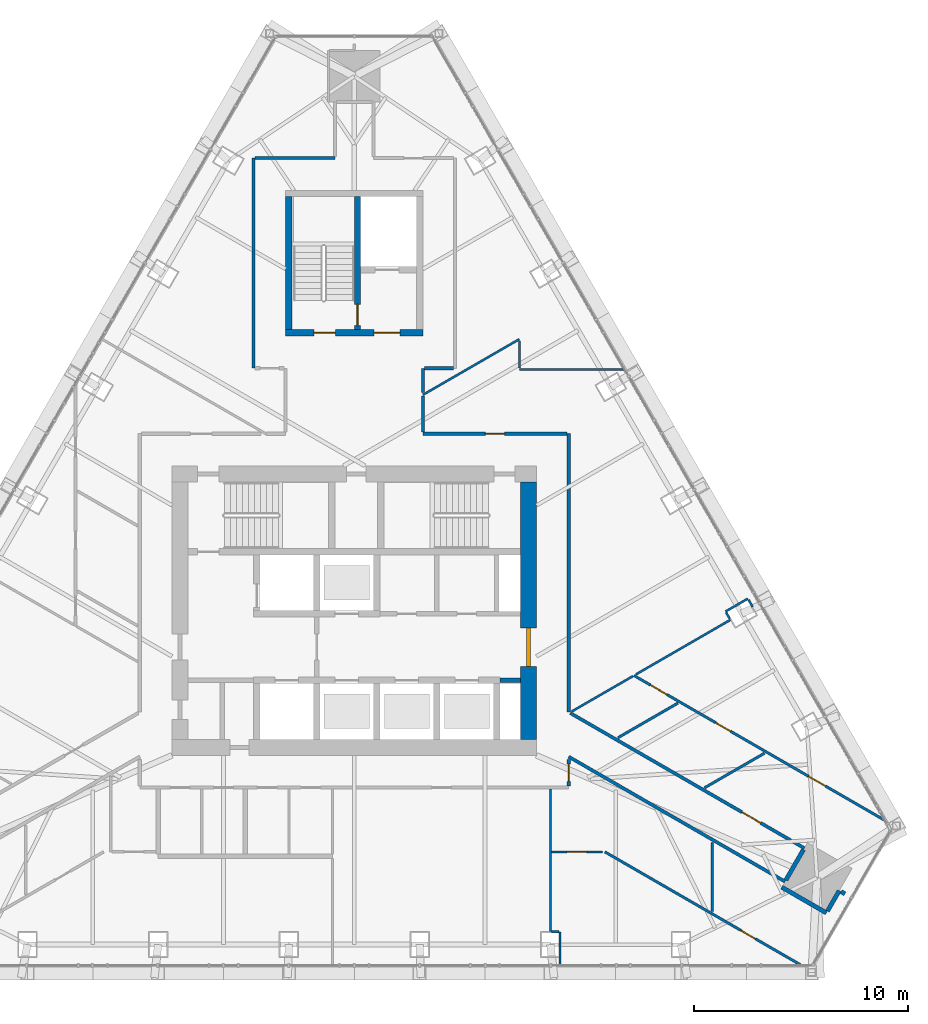
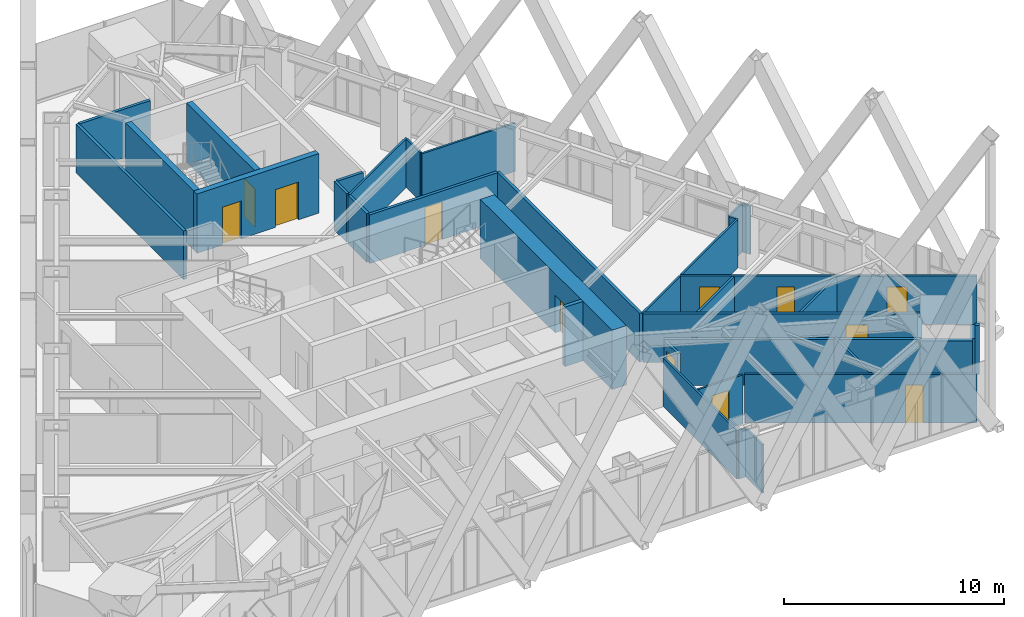
# One storey, part 20 of 23: 36 walls, 12 doors, 12 openings.
"""IFC4 building model written with IfcOpenShell, lengths in metres."""

from ifc_helpers import new_model, si_unit, direction, frame, frame_2d, origin, place, context, subcontext, project, spatial, rectangle, extrude, material, layer, layer_set, type_object, element, fill, save


model = new_model("IFC4")

# Units and contexts
model_context = context("Model", 3, precision=1e-05, world=origin(), true_north=direction((0.0, 1.0)))
body_context = subcontext(model_context, "Body", "Model", "MODEL_VIEW")
ifc_project = project(units=[si_unit("LENGTHUNIT", "METRE"), si_unit("AREAUNIT", "SQUARE_METRE"), si_unit("VOLUMEUNIT", "CUBIC_METRE"), si_unit("PLANEANGLEUNIT", "RADIAN"), si_unit("MASSUNIT", "GRAM", prefix="KILO")], contexts=[model_context])

# Site, building, storey
site_placement = place(None, origin())
site = spatial("IfcSite", under=ifc_project, at=site_placement, CompositionType="ELEMENT")
building_placement = place(site_placement, origin())
building = spatial("IfcBuilding", under=site, at=building_placement, Name="Firuza Gate Tower and Library", CompositionType="ELEMENT")
storey_placement = place(building_placement, frame((0.0, 0.0, 302.10009765625)))
storey = spatial("IfcBuildingStorey", under=building, at=storey_placement, Name="L73", CompositionType="ELEMENT", Elevation=302.10009765625)

# Wall
ifc_material_1 = material(Name="Plasterboard on steel studs", Category="steel")
ifc_layer_1 = layer(ifc_material_1, 0.199951171875)
ifc_layer_set_1 = layer_set([ifc_layer_1], Name="Core partition 200 EI 120")
wall_type_1 = type_object("IfcWallType", Name="Core partition 200 EI 120", PredefinedType="PARTITIONING", material=ifc_layer_set_1)
wall_1_placement = place(storey_placement, frame((81.800048828125, 71.75, 0.0), z_axis=(0.0, 0.0, 1.0), x_axis=(1.0, 0.0, 0.0)))
element("IfcWall", 1, at=wall_1_placement, inside=storey, type_object=wall_type_1, Name="Core partition L73 2", PredefinedType="PARTITIONING", context=body_context, shape_type="SweptSolid", body=[
    extrude(rectangle(XDim=0.949951171875, YDim=0.199951171875, at=frame_2d((0.47509765625, 0.0))), origin(), (0.0, 0.0, 1.0), 3.2998046875),
])

# Wall, openings, doors
ifc_material_2 = material(Name="Concrete C60/75", Category="concrete")
ifc_layer_2 = layer(ifc_material_2, 0.300048828125)
ifc_layer_set_2 = layer_set([ifc_layer_2], Name="Core wall 300 C60/75")
wall_type_2 = type_object("IfcWallType", Name="Core wall 300 C60/75", PredefinedType="SHEAR", material=ifc_layer_set_2)
wall_2_placement = place(storey_placement, frame((71.800048828125, 87.949951171875, 0.0), z_axis=(0.0, 0.0, 1.0), x_axis=(1.0, 0.0, 0.0)))
wall_2 = element("IfcWall", 2, at=wall_2_placement, inside=storey, type_object=wall_type_2, Name="Core wall L73 18", PredefinedType="SHEAR", context=body_context, shape_type="SweptSolid", body=[
    extrude(rectangle(XDim=6.39990234375, YDim=0.300048828125, at=frame_2d((3.199951171875, 0.0))), origin(), (0.0, 0.0, 1.0), 3.2998046875),
])
opening_1_placement = place(wall_2_placement, frame((1.324951171875, 0.0, 0.0)))
opening_1 = element("IfcOpeningElement", 3, at=opening_1_placement, cuts=wall_2, Name="Opening L73-K11", PredefinedType="OPENING", context=body_context, shape_type="SweptSolid", body=[
    extrude(rectangle(XDim=1.0, YDim=2.10009765625, at=frame_2d((0.5, 1.050048828125))), frame((0.0, 0.16015625, 0.0), z_axis=(0.0, -1.0, 0.0), x_axis=(1.0, 0.0, 0.0)), (0.0, 0.0, 1.0), 0.320068359375),
])
opening_2_placement = place(wall_2_placement, frame((4.125, 0.0, 0.0)))
opening_2 = element("IfcOpeningElement", 4, at=opening_2_placement, cuts=wall_2, Name="Opening L73-K13", PredefinedType="OPENING", context=body_context, shape_type="SweptSolid", body=[
    extrude(rectangle(XDim=1.199951171875, YDim=2.10009765625, at=frame_2d((0.60009765625, 1.050048828125))), frame((0.0, 0.16015625, 0.0), z_axis=(0.0, -1.0, 0.0), x_axis=(1.0, 0.0, 0.0)), (0.0, 0.0, 1.0), 0.320068359375),
])
ifc_material_3 = material(Name="Steel", Category="steel")
door_type_1 = type_object("IfcDoorType", Name="Fire door 1000x2100 FD90", OperationType="NOTDEFINED", PredefinedType="DOOR", material=ifc_material_3)
door_1_placement = place(opening_1_placement, origin())
door_1 = element("IfcDoor", 5, at=door_1_placement, inside=storey, type_object=door_type_1, Name="Door L73-K11", OperationType="SINGLE_SWING_RIGHT", OverallHeight=2.10009765625, OverallWidth=1.0, PredefinedType="DOOR", context=body_context, shape_type="SweptSolid", body=[
    extrude(rectangle(XDim=1.0, YDim=2.10009765625, at=frame_2d((0.5, 1.050048828125))), frame((0.0, 0.02490234375, 0.0), z_axis=(0.0, -1.0, 0.0), x_axis=(1.0, 0.0, 0.0)), (0.0, 0.0, 1.0), 0.050048828125),
])
fill(opening_1, door_1)
ifc_material_4 = material(Name="Steel", Category="steel")
door_type_2 = type_object("IfcDoorType", Name="Fire door 1200x2100 FD30S", OperationType="NOTDEFINED", PredefinedType="DOOR", material=ifc_material_4)
door_2_placement = place(opening_2_placement, origin())
door_2 = element("IfcDoor", 6, at=door_2_placement, inside=storey, type_object=door_type_2, Name="Door L73-K13", OperationType="SINGLE_SWING_RIGHT", OverallHeight=2.10009765625, OverallWidth=1.199951171875, PredefinedType="DOOR", context=body_context, shape_type="SweptSolid", body=[
    extrude(rectangle(XDim=1.199951171875, YDim=2.10009765625, at=frame_2d((0.60009765625, 1.050048828125))), frame((0.0, 0.02490234375, 0.0), z_axis=(0.0, -1.0, 0.0), x_axis=(1.0, 0.0, 0.0)), (0.0, 0.0, 1.0), 0.050048828125),
])
fill(opening_2, door_2)

# Wall
wall_3_placement = place(storey_placement, frame((71.949951171875, 88.10009765625, 0.0), z_axis=(0.0, 0.0, 1.0), x_axis=(0.0, 1.0, 0.0)))
element("IfcWall", 7, at=wall_3_placement, inside=storey, type_object=wall_type_2, Name="Core wall L73 20", PredefinedType="SHEAR", context=body_context, shape_type="SweptSolid", body=[
    extrude(rectangle(XDim=6.199951171875, YDim=0.300048828125, at=frame_2d((3.10009765625, 0.0))), origin(), (0.0, 0.0, 1.0), 3.2998046875),
])

# Wall, opening, door
wall_4_placement = place(storey_placement, frame((75.14990234375, 88.10009765625, 0.0), z_axis=(0.0, 0.0, 1.0), x_axis=(0.0, 1.0, 0.0)))
wall_4 = element("IfcWall", 8, at=wall_4_placement, inside=storey, type_object=wall_type_2, Name="Core wall L73 23", PredefinedType="SHEAR", context=body_context, shape_type="SweptSolid", body=[
    extrude(rectangle(XDim=6.199951171875, YDim=0.300048828125, at=frame_2d((3.10009765625, 0.0))), origin(), (0.0, 0.0, 1.0), 3.2998046875),
])
opening_3_placement = place(wall_4_placement, frame((0.18505859375, 0.0, 0.0)))
opening_3 = element("IfcOpeningElement", 9, at=opening_3_placement, cuts=wall_4, Name="Opening L73-K12", PredefinedType="OPENING", context=body_context, shape_type="SweptSolid", body=[
    extrude(rectangle(XDim=1.0, YDim=2.10009765625, at=frame_2d((0.5, 1.050048828125))), frame((0.0, 0.16015625, 0.0), z_axis=(0.0, -1.0, 0.0), x_axis=(1.0, 0.0, 0.0)), (0.0, 0.0, 1.0), 0.320068359375),
])
door_3_placement = place(opening_3_placement, origin())
door_3 = element("IfcDoor", 10, at=door_3_placement, inside=storey, type_object=door_type_1, Name="Door L73-K12", OperationType="SINGLE_SWING_LEFT", OverallHeight=2.10009765625, OverallWidth=1.0, PredefinedType="DOOR", context=body_context, shape_type="SweptSolid", body=[
    extrude(rectangle(XDim=1.0, YDim=2.10009765625, at=frame_2d((0.5, 1.050048828125))), frame((0.0, 0.02490234375, 0.0), z_axis=(0.0, -1.0, 0.0), x_axis=(1.0, 0.0, 0.0)), (0.0, 0.0, 1.0), 0.050048828125),
])
fill(opening_3, door_3)

ifc_material_5 = material(Name="Concrete C60/75", Category="concrete")
ifc_layer_3 = layer(ifc_material_5, 0.75)
ifc_layer_set_3 = layer_set([ifc_layer_3], Name="Core wall 750 C60/75")
wall_type_3 = type_object("IfcWallType", Name="Core wall 750 C60/75", PredefinedType="SHEAR", material=ifc_layer_set_3)
wall_5_placement = place(storey_placement, frame((83.125, 69.0, 0.0), z_axis=(0.0, 0.0, 1.0), x_axis=(0.0, 1.0, 0.0)))
wall_5 = element("IfcWall", 11, at=wall_5_placement, inside=storey, type_object=wall_type_3, Name="Core wall L73 4", PredefinedType="SHEAR", context=body_context, shape_type="SweptSolid", body=[
    extrude(rectangle(XDim=12.0, YDim=0.75, at=frame_2d((6.0, 0.0))), origin(), (0.0, 0.0, 1.0), 3.2998046875),
])
opening_4_placement = place(wall_5_placement, frame((3.39990234375, 0.0, 0.0)))
opening_4 = element("IfcOpeningElement", 12, at=opening_4_placement, cuts=wall_5, Name="Opening L73-K16", PredefinedType="OPENING", context=body_context, shape_type="SweptSolid", body=[
    extrude(rectangle(XDim=1.800048828125, YDim=2.10009765625, at=frame_2d((0.89990234375, 1.050048828125))), frame((0.0, 0.385009765625, 0.0), z_axis=(0.0, -1.0, 0.0), x_axis=(1.0, 0.0, 0.0)), (0.0, 0.0, 1.0), 0.77001953125),
])
ifc_material_6 = material(Name="Steel", Category="steel")
door_type_3 = type_object("IfcDoorType", Name="Fire door 1800x2100 FD30S", OperationType="NOTDEFINED", PredefinedType="DOOR", material=ifc_material_6)
door_4_placement = place(opening_4_placement, origin())
door_4 = element("IfcDoor", 13, at=door_4_placement, inside=storey, type_object=door_type_3, Name="Door L73-K16", OperationType="SINGLE_SWING_LEFT", OverallHeight=2.10009765625, OverallWidth=1.800048828125, PredefinedType="DOOR", context=body_context, shape_type="SweptSolid", body=[
    extrude(rectangle(XDim=1.800048828125, YDim=2.10009765625, at=frame_2d((0.89990234375, 1.050048828125))), frame((0.0, 0.094970703125, 0.0), z_axis=(0.0, -1.0, 0.0), x_axis=(1.0, 0.0, 0.0)), (0.0, 0.0, 1.0), 0.18994140625),
])
fill(opening_4, door_4)

ifc_material_7 = material(Name="Gypsum board partition")
ifc_layer_4 = layer(ifc_material_7, 0.14990234375)
ifc_layer_set_4 = layer_set([ifc_layer_4], Name="Corridor wall 150 double board on steel studs")
wall_type_4 = type_object("IfcWallType", Name="Corridor wall 150 double board on steel studs", PredefinedType="PARTITIONING", material=ifc_layer_set_4)
wall_6_placement = place(storey_placement, frame((84.923095703125, 83.25, 0.0), z_axis=(0.0, 0.0, 1.0), x_axis=(-1.0, 0.0, 0.0)))
wall_6 = element("IfcWall", 14, at=wall_6_placement, inside=storey, type_object=wall_type_4, Name="f:L73:w006", PredefinedType="PARTITIONING", context=body_context, shape_type="SweptSolid", body=[
    extrude(rectangle(XDim=6.72314453125, YDim=0.14990234375, at=frame_2d((3.361572265625, 0.0))), origin(), (0.0, 0.0, 1.0), 2.699951171875),
])
opening_5_placement = place(wall_6_placement, frame((2.911376953125, 0.0, 0.0)))
opening_5 = element("IfcOpeningElement", 15, at=opening_5_placement, cuts=wall_6, Name="Opening L73-09", PredefinedType="OPENING", context=body_context, shape_type="SweptSolid", body=[
    extrude(rectangle(XDim=0.89990234375, YDim=2.10009765625, at=frame_2d((0.449951171875, 1.050048828125))), frame((0.0, 0.0849609375, 0.0), z_axis=(0.0, -1.0, 0.0), x_axis=(1.0, 0.0, 0.0)), (0.0, 0.0, 1.0), 0.169921875),
])
ifc_material_8 = material(Name="Steel door and timber leaf", Category="steel")
door_type_4 = type_object("IfcDoorType", Name="Fire door 900 x 2100 steel frame, timber leaf", OperationType="NOTDEFINED", PredefinedType="DOOR", material=ifc_material_8)
door_5_placement = place(opening_5_placement, origin())
door_5 = element("IfcDoor", 16, at=door_5_placement, inside=storey, type_object=door_type_4, Name="f:L73:d009", OperationType="SINGLE_SWING_RIGHT", OverallHeight=2.10009765625, OverallWidth=0.89990234375, PredefinedType="DOOR", context=body_context, shape_type="SweptSolid", body=[
    extrude(rectangle(XDim=0.89990234375, YDim=2.10009765625, at=frame_2d((0.449951171875, 1.050048828125))), frame((0.0, 0.02490234375, 0.0), z_axis=(0.0, -1.0, 0.0), x_axis=(1.0, 0.0, 0.0)), (0.0, 0.0, 1.0), 0.050048828125),
])
fill(opening_5, door_5)

# Walls
wall_7_placement = place(storey_placement, frame((78.27490234375, 86.300048828125, 0.0), z_axis=(0.0, 0.0, 1.0), x_axis=(1.0, 0.0, 0.0)))
element("IfcWall", 17, at=wall_7_placement, inside=storey, type_object=wall_type_4, Name="f:L73:w009", PredefinedType="PARTITIONING", context=body_context, shape_type="SweptSolid", body=[
    extrude(rectangle(XDim=1.349609375, YDim=0.14990234375, at=frame_2d((0.6748046875, 0.0))), origin(), (0.0, 0.0, 1.0), 2.699951171875),
])
wall_8_placement = place(storey_placement, frame((70.376953125, 96.10009765625, 0.0), z_axis=(0.0, 0.0, 1.0), x_axis=(1.0, 0.0, 0.0)))
element("IfcWall", 18, at=wall_8_placement, inside=storey, type_object=wall_type_4, Name="f:L73:w010", PredefinedType="PARTITIONING", context=body_context, shape_type="SweptSolid", body=[
    extrude(rectangle(XDim=3.722900390625, YDim=0.14990234375, at=frame_2d((1.861328125, 0.0))), origin(), (0.0, 0.0, 1.0), 2.699951171875),
])

# Wall, opening, door
wall_9_placement = place(storey_placement, frame((85.0, 68.05078125, 0.0), z_axis=(0.0, 0.0, 1.0), x_axis=(0.0, -1.0, 0.0)))
wall_9 = element("IfcWall", 19, at=wall_9_placement, inside=storey, type_object=wall_type_4, Name="f:L73:w028", PredefinedType="PARTITIONING", context=body_context, shape_type="SweptSolid", body=[
    extrude(rectangle(XDim=1.225830078125, YDim=0.14990234375, at=frame_2d((0.61279296875, 0.0))), origin(), (0.0, 0.0, 1.0), 2.546875),
])
opening_6_placement = place(wall_9_placement, frame((0.212890625, 0.0, 0.0)))
opening_6 = element("IfcOpeningElement", 20, at=opening_6_placement, cuts=wall_9, Name="Opening L73-17", PredefinedType="OPENING", context=body_context, shape_type="SweptSolid", body=[
    extrude(rectangle(XDim=0.800048828125, YDim=2.10009765625, at=frame_2d((0.39990234375, 1.050048828125))), frame((0.0, 0.0849609375, 0.0), z_axis=(0.0, -1.0, 0.0), x_axis=(1.0, 0.0, 0.0)), (0.0, 0.0, 1.0), 0.169921875),
])
ifc_material_9 = material(Name="Timber door", Category="wood")
door_type_5 = type_object("IfcDoorType", Name="Door 800 x 2100 timber leaf", OperationType="NOTDEFINED", PredefinedType="DOOR", material=ifc_material_9)
door_6_placement = place(opening_6_placement, origin())
door_6 = element("IfcDoor", 21, at=door_6_placement, inside=storey, type_object=door_type_5, Name="f:L73:d017", OperationType="SINGLE_SWING_RIGHT", OverallHeight=2.10009765625, OverallWidth=0.800048828125, PredefinedType="DOOR", context=body_context, shape_type="SweptSolid", body=[
    extrude(rectangle(XDim=0.800048828125, YDim=2.10009765625, at=frame_2d((0.39990234375, 1.050048828125))), frame((0.0, 0.02490234375, 0.0), z_axis=(0.0, -1.0, 0.0), x_axis=(1.0, 0.0, 0.0)), (0.0, 0.0, 1.0), 0.050048828125),
])
fill(opening_6, door_6)

# Walls
wall_10_placement = place(storey_placement, frame((85.0, 70.265869140625, 0.0), z_axis=(0.0, 0.0, 1.0), x_axis=(0.0, 1.0, 0.0)))
element("IfcWall", 22, at=wall_10_placement, inside=storey, type_object=wall_type_4, Name="f:L73:w029", PredefinedType="PARTITIONING", context=body_context, shape_type="SweptSolid", body=[
    extrude(rectangle(XDim=12.982177734375, YDim=0.14990234375, at=frame_2d((6.4912109375, 0.0))), origin(), (0.0, 0.0, 1.0), 2.699951171875),
])
wall_11_placement = place(storey_placement, frame((78.199951171875, 83.324951171875, 0.0), z_axis=(0.0, 0.0, 1.0), x_axis=(0.0, 1.0, 0.0)))
element("IfcWall", 23, at=wall_11_placement, inside=storey, type_object=wall_type_4, Name="f:L73:w034", PredefinedType="PARTITIONING", context=body_context, shape_type="SweptSolid", body=[
    extrude(rectangle(XDim=1.691650390625, YDim=0.14990234375, at=frame_2d((0.845703125, 0.0))), origin(), (0.0, 0.0, 1.0), 2.699951171875),
])
wall_12_placement = place(storey_placement, frame((70.300048828125, 86.302001953125, 0.0), z_axis=(0.0, 0.0, 1.0), x_axis=(0.0, 1.0, 0.0)))
element("IfcWall", 24, at=wall_12_placement, inside=storey, type_object=wall_type_4, Name="f:L73:w042", PredefinedType="PARTITIONING", context=body_context, shape_type="SweptSolid", body=[
    extrude(rectangle(XDim=9.7958984375, YDim=0.14990234375, at=frame_2d((4.89794921875, 0.0))), origin(), (0.0, 0.0, 1.0), 2.699951171875),
])

# Wall, opening, door
wall_13_placement = place(storey_placement, frame((85.0751953125, 70.222412109375, 0.0), z_axis=(0.0, 0.0, 1.0), x_axis=(0.866023935413, -0.500002543286, 0.0)))
wall_13 = element("IfcWall", 25, at=wall_13_placement, inside=storey, type_object=wall_type_4, Name="f:L73:w057", PredefinedType="PARTITIONING", context=body_context, shape_type="SweptSolid", body=[
    extrude(rectangle(XDim=12.6005859375, YDim=0.14990234375, at=frame_2d((6.30029296875, 0.0))), origin(), (0.0, 0.0, 1.0), 2.699951171875),
])
opening_7_placement = place(wall_13_placement, frame((9.24853515625, 0.0, 0.0)))
opening_7 = element("IfcOpeningElement", 26, at=opening_7_placement, cuts=wall_13, Name="Opening L73-24", PredefinedType="OPENING", context=body_context, shape_type="SweptSolid", body=[
    extrude(rectangle(XDim=1.0, YDim=2.10009765625, at=frame_2d((0.5, 1.050048828125))), frame((0.0, 0.0849609375, 0.0), z_axis=(0.0, -1.0, 0.0), x_axis=(1.0, 0.0, 0.0)), (0.0, 0.0, 1.0), 0.169921875),
])
ifc_material_10 = material(Name="Steel door and timber leaf", Category="steel")
door_type_6 = type_object("IfcDoorType", Name="Fire door 1000 x 2100 steel frame, timber leaf", OperationType="NOTDEFINED", PredefinedType="DOOR", material=ifc_material_10)
door_7_placement = place(opening_7_placement, origin())
door_7 = element("IfcDoor", 27, at=door_7_placement, inside=storey, type_object=door_type_6, Name="f:L73:d024", OperationType="SINGLE_SWING_RIGHT", OverallHeight=2.10009765625, OverallWidth=1.0, PredefinedType="DOOR", context=body_context, shape_type="SweptSolid", body=[
    extrude(rectangle(XDim=1.0, YDim=2.10009765625, at=frame_2d((0.5, 1.050048828125))), frame((0.0, 0.02490234375, 0.0), z_axis=(0.0, -1.0, 0.0), x_axis=(1.0, 0.0, 0.0)), (0.0, 0.0, 1.0), 0.050048828125),
])
fill(opening_7, door_7)

# Walls
wall_14_placement = place(storey_placement, frame((95.087890625, 62.363037109375, 0.0), z_axis=(0.0, 0.0, 1.0), x_axis=(-0.866026430432, 0.49999822179, 0.0)))
element("IfcWall", 28, at=wall_14_placement, inside=storey, type_object=wall_type_4, Name="f:L73:w059", PredefinedType="PARTITIONING", context=body_context, shape_type="SweptSolid", body=[
    extrude(rectangle(XDim=11.6484375, YDim=0.14990234375, at=frame_2d((5.82421875, 0.0))), origin(), (0.0, 0.0, 1.0), 2.546875),
])
wall_15_placement = place(storey_placement, frame((78.199951171875, 85.160888671875, 0.0), z_axis=(0.0, 0.0, 1.0), x_axis=(0.0, 1.0, 0.0)))
element("IfcWall", 29, at=wall_15_placement, inside=storey, type_object=wall_type_4, Name="f:L73:w070", PredefinedType="PARTITIONING", context=body_context, shape_type="SweptSolid", body=[
    extrude(rectangle(XDim=1.13916015625, YDim=0.14990234375, at=frame_2d((0.569580078125, 0.0))), origin(), (0.0, 0.0, 1.0), 2.699951171875),
])
ifc_material_11 = material(Name="Gypsum board partition")
ifc_layer_5 = layer(ifc_material_11, 0.199951171875)
ifc_layer_set_5 = layer_set([ifc_layer_5], Name="Demising wall 200 acoustic double stud")
wall_type_5 = type_object("IfcWallType", Name="Demising wall 200 acoustic double stud", PredefinedType="PARTITIONING", material=ifc_layer_set_5)
wall_16_placement = place(storey_placement, frame((97.066650390625, 60.990234375, 0.0), z_axis=(0.0, 0.0, 1.0), x_axis=(0.499818604933, 0.866130106949, 0.0)))
element("IfcWall", 30, at=wall_16_placement, inside=storey, type_object=wall_type_5, Name="f:L73:w024", PredefinedType="PARTITIONING", context=body_context, shape_type="SweptSolid", body=[
    extrude(rectangle(XDim=1.09912109375, YDim=0.199951171875, at=frame_2d((0.549560546875, 0.0))), origin(), (0.0, 0.0, 1.0), 2.699951171875),
])
wall_17_placement = place(storey_placement, frame((95.128173828125, 62.432861328125, 0.0), z_axis=(0.0, 0.0, 1.0), x_axis=(0.500052415518, 0.865995139556, 0.0)))
element("IfcWall", 31, at=wall_17_placement, inside=storey, type_object=wall_type_5, Name="f:L73:w025", PredefinedType="PARTITIONING", context=body_context, shape_type="SweptSolid", body=[
    extrude(rectangle(XDim=1.643798828125, YDim=0.199951171875, at=frame_2d((0.82177734375, 0.0))), origin(), (0.0, 0.0, 1.0), 2.546875),
])
wall_18_placement = place(storey_placement, frame((97.876220703125, 61.79248046875, 0.0), z_axis=(0.0, 0.0, 1.0), x_axis=(-0.865900389786, 0.500216468111, 0.0)))
element("IfcWall", 32, at=wall_18_placement, inside=storey, type_object=wall_type_5, Name="f:L73:w058", PredefinedType="PARTITIONING", context=body_context, shape_type="SweptSolid", body=[
    extrude(rectangle(XDim=0.19970703125, YDim=0.199951171875, at=frame_2d((0.099853515625, 0.0))), origin(), (0.0, 0.0, 1.0), 2.699951171875),
])
wall_19_placement = place(storey_placement, frame((97.01611328125, 60.903564453125, 0.0), z_axis=(0.0, 0.0, 1.0), x_axis=(-0.866036455013, 0.499980858223, 0.0)))
element("IfcWall", 33, at=wall_19_placement, inside=storey, type_object=wall_type_5, Name="f:L73:w060", PredefinedType="PARTITIONING", context=body_context, shape_type="SweptSolid", body=[
    extrude(rectangle(XDim=2.39892578125, YDim=0.199951171875, at=frame_2d((1.199462890625, 0.0))), origin(), (0.0, 0.0, 1.0), 2.699951171875),
])
ifc_material_12 = material(Name="Gypsum board partition")
ifc_layer_6 = layer(ifc_material_12, 0.10009765625)
ifc_layer_set_6 = layer_set([ifc_layer_6], Name="Partition 100 gypsum board on steel studs")
wall_type_6 = type_object("IfcWallType", Name="Partition 100 gypsum board on steel studs", PredefinedType="PARTITIONING", material=ifc_layer_set_6)
wall_20_placement = place(storey_placement, frame((84.194091796875, 60.02490234375, 0.0), z_axis=(0.0, 0.0, 1.0), x_axis=(1.0, 0.0, 0.0)))
element("IfcWall", 34, at=wall_20_placement, inside=storey, type_object=wall_type_6, Name="f:L73:w000", PredefinedType="PARTITIONING", context=body_context, shape_type="SweptSolid", body=[
    extrude(rectangle(XDim=0.346923828125, YDim=0.10009765625, at=frame_2d((0.17333984375, 0.0))), origin(), (0.0, 0.0, 1.0), 2.699951171875),
])

# Wall, opening, door
wall_21_placement = place(storey_placement, frame((86.565673828125, 63.75, 0.0), z_axis=(0.0, 0.0, 1.0), x_axis=(-1.0, 0.0, 0.0)))
wall_21 = element("IfcWall", 35, at=wall_21_placement, inside=storey, type_object=wall_type_6, Name="f:L73:w003", PredefinedType="PARTITIONING", context=body_context, shape_type="SweptSolid", body=[
    extrude(rectangle(XDim=2.37158203125, YDim=0.10009765625, at=frame_2d((1.185791015625, 0.0))), origin(), (0.0, 0.0, 1.0), 2.699951171875),
])
opening_8_placement = place(wall_21_placement, frame((0.73583984375, 0.0, 0.0)))
opening_8 = element("IfcOpeningElement", 36, at=opening_8_placement, cuts=wall_21, Name="Opening L73-02", PredefinedType="OPENING", context=body_context, shape_type="SweptSolid", body=[
    extrude(rectangle(XDim=0.89990234375, YDim=2.10009765625, at=frame_2d((0.449951171875, 1.050048828125))), frame((0.0, 0.06005859375, 0.0), z_axis=(0.0, -1.0, 0.0), x_axis=(1.0, 0.0, 0.0)), (0.0, 0.0, 1.0), 0.1201171875),
])
ifc_material_13 = material(Name="Timber door", Category="wood")
door_type_7 = type_object("IfcDoorType", Name="Door 900 x 2100 timber leaf", OperationType="NOTDEFINED", PredefinedType="DOOR", material=ifc_material_13)
door_8_placement = place(opening_8_placement, origin())
door_8 = element("IfcDoor", 37, at=door_8_placement, inside=storey, type_object=door_type_7, Name="f:L73:d002", OperationType="SINGLE_SWING_LEFT", OverallHeight=2.10009765625, OverallWidth=0.89990234375, PredefinedType="DOOR", context=body_context, shape_type="SweptSolid", body=[
    extrude(rectangle(XDim=0.89990234375, YDim=2.10009765625, at=frame_2d((0.449951171875, 1.050048828125))), frame((0.0, 0.02490234375, 0.0), z_axis=(0.0, -1.0, 0.0), x_axis=(1.0, 0.0, 0.0)), (0.0, 0.0, 1.0), 0.050048828125),
])
fill(opening_8, door_8)

# Walls
wall_22_placement = place(storey_placement, frame((82.701904296875, 86.25, 0.0), z_axis=(0.0, 0.0, 1.0), x_axis=(1.0, 0.0, 0.0)))
element("IfcWall", 38, at=wall_22_placement, inside=storey, type_object=wall_type_6, Name="f:L73:w007", PredefinedType="PARTITIONING", context=body_context, shape_type="SweptSolid", body=[
    extrude(rectangle(XDim=4.896240234375, YDim=0.10009765625, at=frame_2d((2.4482421875, 0.0))), origin(), (0.0, 0.0, 1.0), 2.68798828125),
])
wall_23_placement = place(storey_placement, frame((85.14501953125, 70.298828125, 0.0), z_axis=(0.0, 0.0, 1.0), x_axis=(0.866032610133, 0.499987518031, 0.0)))
element("IfcWall", 39, at=wall_23_placement, inside=storey, type_object=wall_type_6, Name="f:L73:w016", PredefinedType="PARTITIONING", context=body_context, shape_type="SweptSolid", body=[
    extrude(rectangle(XDim=3.29541015625, YDim=0.10009765625, at=frame_2d((1.647705078125, 0.0))), origin(), (0.0, 0.0, 1.0), 2.699951171875),
])
wall_24_placement = place(storey_placement, frame((92.317626953125, 74.95947265625, 0.0), z_axis=(0.0, 0.0, 1.0), x_axis=(0.866087020037, 0.499893262331, 0.0)))
element("IfcWall", 40, at=wall_24_placement, inside=storey, type_object=wall_type_6, Name="f:L73:w017", PredefinedType="PARTITIONING", context=body_context, shape_type="SweptSolid", body=[
    extrude(rectangle(XDim=1.196044921875, YDim=0.10009765625, at=frame_2d((0.59814453125, 0.0))), origin(), (0.0, 0.0, 1.0), 2.68798828125),
])
wall_25_placement = place(storey_placement, frame((78.199951171875, 85.059814453125, 0.0), z_axis=(0.0, 0.0, 1.0), x_axis=(0.866025161861, 0.500000419024, 0.0)))
element("IfcWall", 41, at=wall_25_placement, inside=storey, type_object=wall_type_6, Name="f:L73:w023", PredefinedType="PARTITIONING", context=body_context, shape_type="SweptSolid", body=[
    extrude(rectangle(XDim=5.1953125, YDim=0.10009765625, at=frame_2d((2.59765625, 0.0))), origin(), (0.0, 0.0, 1.0), 2.699951171875),
])
wall_26_placement = place(storey_placement, frame((84.593994140625, 58.46484375, 0.0), z_axis=(0.0, 0.0, 1.0), x_axis=(0.0, 1.0, 0.0)))
element("IfcWall", 42, at=wall_26_placement, inside=storey, type_object=wall_type_6, Name="f:L73:w030", PredefinedType="PARTITIONING", context=body_context, shape_type="SweptSolid", body=[
    extrude(rectangle(XDim=1.556884765625, YDim=0.10009765625, at=frame_2d((0.7783203125, 0.0))), origin(), (0.0, 0.0, 1.0), 2.699951171875),
])
wall_27_placement = place(storey_placement, frame((84.14404296875, 60.02490234375, 0.0), z_axis=(0.0, 0.0, 1.0), x_axis=(0.0, 1.0, 0.0)))
element("IfcWall", 43, at=wall_27_placement, inside=storey, type_object=wall_type_6, Name="f:L73:w031", PredefinedType="PARTITIONING", context=body_context, shape_type="SweptSolid", body=[
    extrude(rectangle(XDim=6.650146484375, YDim=0.10009765625, at=frame_2d((3.3251953125, 0.0))), origin(), (0.0, 0.0, 1.0), 2.699951171875),
])
wall_28_placement = place(storey_placement, frame((82.699951171875, 86.302001953125, 0.0), z_axis=(0.0, 0.0, 1.0), x_axis=(0.0, 1.0, 0.0)))
element("IfcWall", 44, at=wall_28_placement, inside=storey, type_object=wall_type_6, Name="f:L73:w032", PredefinedType="PARTITIONING", context=body_context, shape_type="SweptSolid", body=[
    extrude(rectangle(XDim=1.26708984375, YDim=0.10009765625, at=frame_2d((0.633544921875, 0.0))), origin(), (0.0, 0.0, 1.0), 2.699951171875),
])
wall_29_placement = place(storey_placement, frame((93.580078125, 75.168701171875, 0.0), z_axis=(0.0, 0.0, 1.0), x_axis=(-0.500153222552, 0.865936922628, 0.0)))
element("IfcWall", 45, at=wall_29_placement, inside=storey, type_object=wall_type_6, Name="f:L73:w051", PredefinedType="PARTITIONING", context=body_context, shape_type="SweptSolid", body=[
    extrude(rectangle(XDim=0.392578125, YDim=0.10009765625, at=frame_2d((0.1962890625, 0.0))), origin(), (0.0, 0.0, 1.0), 2.699951171875),
])
wall_30_placement = place(storey_placement, frame((92.5107421875, 74.62060546875, 0.0), z_axis=(0.0, 0.0, 1.0), x_axis=(-0.499868360126, 0.866101392762, 0.0)))
element("IfcWall", 46, at=wall_30_placement, inside=storey, type_object=wall_type_6, Name="f:L73:w052", PredefinedType="PARTITIONING", context=body_context, shape_type="SweptSolid", body=[
    extrude(rectangle(XDim=0.337890625, YDim=0.10009765625, at=frame_2d((0.1689453125, 0.0))), origin(), (0.0, 0.0, 1.0), 2.699951171875),
])
wall_31_placement = place(storey_placement, frame((88.12890625, 72.021484375, 0.0), z_axis=(0.0, 0.0, 1.0), x_axis=(0.866010809447, 0.500025277282, 0.0)))
element("IfcWall", 47, at=wall_31_placement, inside=storey, type_object=wall_type_6, Name="f:L73:w069", PredefinedType="PARTITIONING", context=body_context, shape_type="SweptSolid", body=[
    extrude(rectangle(XDim=5.094482421875, YDim=0.10009765625, at=frame_2d((2.54736328125, 0.0))), origin(), (0.0, 0.0, 1.0), 2.699951171875),
])
ifc_material_14 = material(Name="Gypsum board partition")
ifc_layer_7 = layer(ifc_material_14, 0.1201171875)
ifc_layer_set_7 = layer_set([ifc_layer_7], Name="Wet-area partition 120 moisture-resistant board")
wall_type_7 = type_object("IfcWallType", Name="Wet-area partition 120 moisture-resistant board", PredefinedType="PARTITIONING", material=ifc_layer_set_7)
for number, where, z_axis, x_axis, name in (
    (48, (91.333251953125, 66.735595703125, 0.0), (0.0, 0.0, 1.0), (0.86605210011, 0.499953757757, 0.0), "f:L73:w014"),
    (49, (87.29150390625, 69.0693359375, 0.0), (0.0, 0.0, 1.0), (0.86605210011, 0.499953757757, 0.0), "f:L73:w015"),
    (50, (91.697021484375, 60.966064453125, 0.0), (0.0, 0.0, 1.0), (0.0, 1.0, 0.0), "f:L73:w027"),
):
    element("IfcWall", number, at=place(storey_placement, frame(where, z_axis=z_axis, x_axis=x_axis)), inside=storey, type_object=wall_type_7, Name=name, PredefinedType="PARTITIONING", context=body_context, shape_type="SweptSolid", body=[
        extrude(rectangle(XDim=3.228271484375, YDim=0.1201171875, at=frame_2d((1.6142578125, 0.0))), origin(), (0.0, 0.0, 1.0), 2.699951171875),
    ])

# Wall, openings, doors
wall_32_placement = place(storey_placement, frame((99.73974609375, 65.219970703125, 0.0), z_axis=(0.0, 0.0, 1.0), x_axis=(-0.866029646425, 0.499992651459, 0.0)))
wall_32 = element("IfcWall", 51, at=wall_32_placement, inside=storey, type_object=wall_type_7, Name="f:L73:w056", PredefinedType="PARTITIONING", context=body_context, shape_type="SweptSolid", body=[
    extrude(rectangle(XDim=13.505126953125, YDim=0.1201171875, at=frame_2d((6.75244140625, 0.0))), origin(), (0.0, 0.0, 1.0), 2.699951171875),
])
opening_9_placement = place(wall_32_placement, frame((3.196533203125, 0.0, 0.0)))
opening_9 = element("IfcOpeningElement", 52, at=opening_9_placement, cuts=wall_32, Name="Opening L73-21", PredefinedType="OPENING", context=body_context, shape_type="SweptSolid", body=[
    extrude(rectangle(XDim=0.89990234375, YDim=2.10009765625, at=frame_2d((0.449951171875, 1.050048828125))), frame((0.0, 0.070068359375, 0.0), z_axis=(0.0, -1.0, 0.0), x_axis=(1.0, 0.0, 0.0)), (0.0, 0.0, 1.0), 0.14013671875),
])
opening_10_placement = place(wall_32_placement, frame((8.302978515625, 0.0, 0.0)))
opening_10 = element("IfcOpeningElement", 53, at=opening_10_placement, cuts=wall_32, Name="Opening L73-22", PredefinedType="OPENING", context=body_context, shape_type="SweptSolid", body=[
    extrude(rectangle(XDim=0.800048828125, YDim=2.10009765625, at=frame_2d((0.39990234375, 1.050048828125))), frame((0.0, 0.070068359375, 0.0), z_axis=(0.0, -1.0, 0.0), x_axis=(1.0, 0.0, 0.0)), (0.0, 0.0, 1.0), 0.14013671875),
])
opening_11_placement = place(wall_32_placement, frame((11.720703125, 0.0, 0.0)))
opening_11 = element("IfcOpeningElement", 54, at=opening_11_placement, cuts=wall_32, Name="Opening L73-23", PredefinedType="OPENING", context=body_context, shape_type="SweptSolid", body=[
    extrude(rectangle(XDim=0.89990234375, YDim=2.10009765625, at=frame_2d((0.449951171875, 1.050048828125))), frame((0.0, 0.070068359375, 0.0), z_axis=(0.0, -1.0, 0.0), x_axis=(1.0, 0.0, 0.0)), (0.0, 0.0, 1.0), 0.14013671875),
])
door_9_placement = place(opening_10_placement, origin())
door_9 = element("IfcDoor", 55, at=door_9_placement, inside=storey, type_object=door_type_5, Name="f:L73:d022", OperationType="SINGLE_SWING_RIGHT", OverallHeight=2.10009765625, OverallWidth=0.800048828125, PredefinedType="DOOR", context=body_context, shape_type="SweptSolid", body=[
    extrude(rectangle(XDim=0.800048828125, YDim=2.10009765625, at=frame_2d((0.39990234375, 1.050048828125))), frame((0.0, 0.02490234375, 0.0), z_axis=(0.0, -1.0, 0.0), x_axis=(1.0, 0.0, 0.0)), (0.0, 0.0, 1.0), 0.050048828125),
])
fill(opening_10, door_9)
door_10_placement = place(opening_9_placement, origin())
door_10 = element("IfcDoor", 56, at=door_10_placement, inside=storey, type_object=door_type_7, Name="f:L73:d021", OperationType="SINGLE_SWING_RIGHT", OverallHeight=2.10009765625, OverallWidth=0.89990234375, PredefinedType="DOOR", context=body_context, shape_type="SweptSolid", body=[
    extrude(rectangle(XDim=0.89990234375, YDim=2.10009765625, at=frame_2d((0.449951171875, 1.050048828125))), frame((0.0, 0.02490234375, 0.0), z_axis=(0.0, -1.0, 0.0), x_axis=(1.0, 0.0, 0.0)), (0.0, 0.0, 1.0), 0.050048828125),
])
fill(opening_9, door_10)
door_11_placement = place(opening_11_placement, origin())
door_11 = element("IfcDoor", 57, at=door_11_placement, inside=storey, type_object=door_type_7, Name="f:L73:d023", OperationType="SINGLE_SWING_LEFT", OverallHeight=2.10009765625, OverallWidth=0.89990234375, PredefinedType="DOOR", context=body_context, shape_type="SweptSolid", body=[
    extrude(rectangle(XDim=0.89990234375, YDim=2.10009765625, at=frame_2d((0.449951171875, 1.050048828125))), frame((0.0, 0.02490234375, 0.0), z_axis=(0.0, -1.0, 0.0), x_axis=(1.0, 0.0, 0.0)), (0.0, 0.0, 1.0), 0.050048828125),
])
fill(opening_11, door_11)

# Wall, opening, door
wall_33_placement = place(storey_placement, frame((86.685546875, 63.75, 0.0), z_axis=(0.0, 0.0, 1.0), x_axis=(0.866034434898, -0.499984357326, 0.0)))
wall_33 = element("IfcWall", 58, at=wall_33_placement, inside=storey, type_object=wall_type_7, Name="f:L73:w062", PredefinedType="PARTITIONING", context=body_context, shape_type="SweptSolid", body=[
    extrude(rectangle(XDim=10.570556640625, YDim=0.1201171875, at=frame_2d((5.28515625, 0.0))), origin(), (0.0, 0.0, 1.0), 2.699951171875),
])
opening_12_placement = place(wall_33_placement, frame((7.318359375, 0.0, 0.0)))
opening_12 = element("IfcOpeningElement", 59, at=opening_12_placement, cuts=wall_33, Name="Opening L73-25", PredefinedType="OPENING", context=body_context, shape_type="SweptSolid", body=[
    extrude(rectangle(XDim=0.800048828125, YDim=2.10009765625, at=frame_2d((0.39990234375, 1.050048828125))), frame((0.0, 0.070068359375, 0.0), z_axis=(0.0, -1.0, 0.0), x_axis=(1.0, 0.0, 0.0)), (0.0, 0.0, 1.0), 0.14013671875),
])
door_12_placement = place(opening_12_placement, origin())
door_12 = element("IfcDoor", 60, at=door_12_placement, inside=storey, type_object=door_type_5, Name="f:L73:d025", OperationType="SINGLE_SWING_LEFT", OverallHeight=2.10009765625, OverallWidth=0.800048828125, PredefinedType="DOOR", context=body_context, shape_type="SweptSolid", body=[
    extrude(rectangle(XDim=0.800048828125, YDim=2.10009765625, at=frame_2d((0.39990234375, 1.050048828125))), frame((0.0, 0.02490234375, 0.0), z_axis=(0.0, -1.0, 0.0), x_axis=(1.0, 0.0, 0.0)), (0.0, 0.0, 1.0), 0.050048828125),
])
fill(opening_12, door_12)

save(model, "model.ifc")
